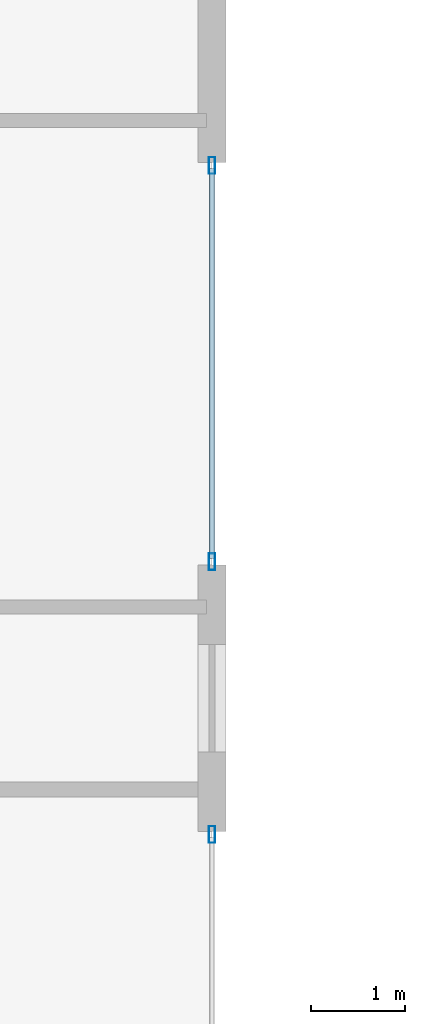
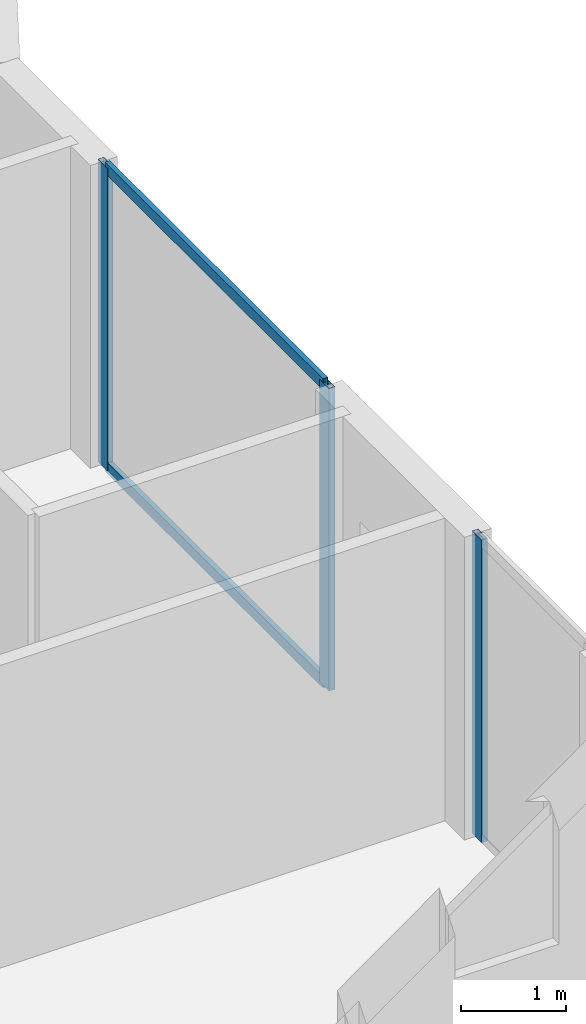
# One storey, part 14 of 33: 5 members, 2 elements without a shape of their own.
"""IFC4 building model written with IfcOpenShell, lengths in metres."""

import ifcopenshell
import ifcopenshell.guid

model = None  # the IFC model being written
_history = None  # IfcOwnerHistory: only IFC2X3 demands one
_inside = {}  # id of a spatial element -> (the spatial element, [elements in it])
_under = {}  # id of a project, library or spatial element -> (it, [spatial elements below it])
_declared = {}  # id of a project -> (the project, [libraries it declares])
_typed = {}  # id of a type object -> (the type object, [elements of that type])
_made_of = {}  # id of a material, layer set ... -> (it, [elements and type objects made of it])


def new_model(schema):
    """Start an empty IFC model of exactly this schema.

    Asked for "IFC4X3", IfcOpenShell would pick the latest addendum, in which some entities
    have other attributes; the version numbers below select the first issue.
    IFC2X3 requires an IfcOwnerHistory on every rooted entity: one is made here for all.
    """
    global model, _history
    if schema == "IFC4X3":
        model = ifcopenshell.file(schema_version=(4, 3, 0, 0))
    else:
        model = ifcopenshell.file(schema=schema)
    _inside.clear()
    _under.clear()
    _declared.clear()
    _typed.clear()
    _made_of.clear()
    _history = None
    if model.schema == "IFC2X3":
        org = make("IfcOrganization", Name="unknown")
        user = make(
            "IfcPersonAndOrganization",
            ThePerson=make("IfcPerson", FamilyName="unknown"),
            TheOrganization=org,
        )
        app = make(
            "IfcApplication",
            ApplicationDeveloper=org,
            Version="unknown",
            ApplicationFullName="unknown",
            ApplicationIdentifier="unknown",
        )
        _history = make(
            "IfcOwnerHistory",
            OwningUser=user,
            OwningApplication=app,
            ChangeAction="ADDED",
            CreationDate=0,
        )
    return model


def make(cls, **values):
    """One entity of the class cls with the attributes given. An attribute that is None is left unset."""
    return model.create_entity(
        cls, **{name: value for name, value in values.items() if value is not None}
    )


def rooted(cls, **values):
    """An entity with a GlobalId (a new one), such as an element, a storey or a relation."""
    return make(cls, GlobalId=ifcopenshell.guid.new(), OwnerHistory=_history, **values)


def si_unit(unit_type, name, prefix=None):
    """IfcSIUnit, for example si_unit("LENGTHUNIT", "METRE", prefix="MILLI")."""
    return make("IfcSIUnit", UnitType=unit_type, Prefix=prefix, Name=name)


def assignment(units):
    """IfcUnitAssignment: the units of a project."""
    return None if units is None else make("IfcUnitAssignment", Units=units)


def point(xyz):
    """IfcCartesianPoint."""
    return None if xyz is None else make("IfcCartesianPoint", Coordinates=xyz)


def direction(xyz):
    """IfcDirection."""
    return None if xyz is None else make("IfcDirection", DirectionRatios=xyz)


def frame(location, z_axis=None, x_axis=None):
    """IfcAxis2Placement3D, a coordinate frame: its origin and axes. An axis left out is left unset."""
    return make(
        "IfcAxis2Placement3D",
        Location=point(location),
        Axis=direction(z_axis),
        RefDirection=direction(x_axis),
    )


def frame_2d(location, x_axis=None):
    """IfcAxis2Placement2D, a coordinate frame in the plane: its origin and x axis."""
    return make(
        "IfcAxis2Placement2D", Location=point(location), RefDirection=direction(x_axis)
    )


def origin():
    """The frame at (0, 0, 0) with its axes left unset."""
    return frame((0.0, 0.0, 0.0))


def origin_2d():
    """The frame at (0, 0) in the plane with its x axis left unset."""
    return frame_2d((0.0, 0.0))


def place(relative_to, where):
    """IfcLocalPlacement: puts the frame where relative to a parent placement (None: the world)."""
    return make(
        "IfcLocalPlacement", PlacementRelTo=relative_to, RelativePlacement=where
    )


def context(
    kind, dimensions, precision=None, world=None, true_north=None, identifier=None
):
    """IfcGeometricRepresentationContext, for example the 3D "Model" context."""
    return make(
        "IfcGeometricRepresentationContext",
        ContextIdentifier=identifier,
        ContextType=kind,
        CoordinateSpaceDimension=dimensions,
        Precision=precision,
        WorldCoordinateSystem=world,
        TrueNorth=true_north,
    )


def subcontext(parent, identifier, kind, view, scale=None):
    """IfcGeometricRepresentationSubContext, for example "Body" below "Model"."""
    return make(
        "IfcGeometricRepresentationSubContext",
        ContextIdentifier=identifier,
        ContextType=kind,
        ParentContext=parent,
        TargetScale=scale,
        TargetView=view,
    )


def project(units=None, contexts=None):
    """IfcProject with its units and contexts."""
    return rooted(
        "IfcProject",
        Name="project",
        RepresentationContexts=contexts,
        UnitsInContext=assignment(units),
    )


def spatial(cls, under=None, at=None, **own):
    """A site, building, storey or space (cls), placed at a placement, below another one or the project."""
    s = rooted(cls, ObjectPlacement=at, **own)
    if under is not None:
        _under.setdefault(under.id(), (under, []))[1].append(s)
    return s


def profile(cls, at=None, kind="AREA", **sizes):
    """A parametric profile (cls). Its sizes go by their IFC names, for example OverallWidth=200.0."""
    return make(cls, ProfileType=kind, Position=at, **sizes)


def hollow_rectangle(**sizes):
    """IfcRectangleHollowProfileDef."""
    return profile("IfcRectangleHollowProfileDef", **sizes)


def extrude(swept, where, along, depth):
    """IfcExtrudedAreaSolid: the profile swept, set in the frame where, extruded along a direction by depth."""
    return make(
        "IfcExtrudedAreaSolid",
        SweptArea=swept,
        Position=where,
        ExtrudedDirection=direction(along),
        Depth=depth,
    )


def shape(context_of_items, identifier, shape_type, items):
    """IfcShapeRepresentation: the items that make up one representation, for example the "Body"."""
    return make(
        "IfcShapeRepresentation",
        ContextOfItems=context_of_items,
        RepresentationIdentifier=identifier,
        RepresentationType=shape_type,
        Items=items,
    )


def material(Name=None, Category=None):
    """IfcMaterial."""
    return make("IfcMaterial", Name=Name, Category=Category)


def layer(
    of_material, thickness, ventilated=None, Name=None, Category=None, Priority=None
):
    """IfcMaterialLayer: one layer of a wall or slab, of a material (None: an air gap)."""
    return make(
        "IfcMaterialLayer",
        Material=of_material,
        LayerThickness=thickness,
        IsVentilated=ventilated,
        Name=Name,
        Category=Category,
        Priority=Priority,
    )


def layer_set(layers, Name=None):
    """IfcMaterialLayerSet."""
    return make("IfcMaterialLayerSet", MaterialLayers=layers, LayerSetName=Name)


def material_profile(
    of_material, cross_section, Name=None, Category=None, Priority=None
):
    """IfcMaterialProfile: a cross section and its material."""
    return make(
        "IfcMaterialProfile",
        Name=Name,
        Material=of_material,
        Profile=cross_section,
        Priority=Priority,
        Category=Category,
    )


def profile_set(profiles, Name=None, composite=None):
    """IfcMaterialProfileSet."""
    return make(
        "IfcMaterialProfileSet",
        Name=Name,
        MaterialProfiles=profiles,
        CompositeProfile=composite,
    )


def made_of(thing, what):
    """Note that an element or type object is made of a material, layer set ...; save() writes the relation."""
    if what is not None:
        _made_of.setdefault(what.id(), (what, []))[1].append(thing)
    return thing


def type_object(cls, material=None, **own):
    """A type object (cls), such as IfcWallType, which elements share."""
    return made_of(rooted(cls, **own), material)


def element(
    cls,
    number,
    at=None,
    inside=None,
    cuts=None,
    type_object=None,
    material=None,
    context=None,
    identifier="Body",
    shape_type=None,
    held_by="IfcProductDefinitionShape",
    body=None,
    shapes=None,
    **own,
):
    """One element of the class cls, such as IfcWall. Its Tag is "e" and its number.

    at: its placement. inside: the storey or other place that contains it. cuts: it is an
    opening in that element (IfcRelVoidsElement). A single representation is given by context,
    identifier, shape_type and body (its items); several are given by shapes. held_by: the class
    of the entity that holds the representations. save() writes the other relations.
    """
    e = rooted(cls, Tag="e%d" % number, ObjectPlacement=at, **own)
    if body is not None:
        shapes = [shape(context, identifier, shape_type, body)]
    if shapes is not None:
        e.Representation = make(held_by, Representations=shapes)
    if inside is not None:
        _inside.setdefault(inside.id(), (inside, []))[1].append(e)
    if cuts is not None:
        rooted(
            "IfcRelVoidsElement", RelatingBuildingElement=cuts, RelatedOpeningElement=e
        )
    if type_object is not None:
        _typed.setdefault(type_object.id(), (type_object, []))[1].append(e)
    return made_of(e, material)


def aggregate(whole, parts):
    """IfcRelAggregates: a whole, such as a stair, and the parts it consists of."""
    return rooted("IfcRelAggregates", RelatingObject=whole, RelatedObjects=parts)


def save(model, path):
    """Write the relations noted so far, then the file.

    IfcRelAggregates (storeys below a building ...), IfcRelContainedInSpatialStructure (elements
    in a storey), IfcRelDefinesByType, IfcRelAssociatesMaterial and IfcRelDeclares: one each for
    every whole, place, type object, material and project.
    """
    for whole, parts in _under.values():
        aggregate(whole, parts)
    for where, things in _inside.values():
        rooted(
            "IfcRelContainedInSpatialStructure",
            RelatedElements=things,
            RelatingStructure=where,
        )
    for kind, things in _typed.values():
        rooted("IfcRelDefinesByType", RelatedObjects=things, RelatingType=kind)
    for what, things in _made_of.values():
        rooted("IfcRelAssociatesMaterial", RelatedObjects=things, RelatingMaterial=what)
    for by, libraries in _declared.values():
        rooted("IfcRelDeclares", RelatingContext=by, RelatedDefinitions=libraries)
    model.write(path)


model = new_model("IFC4")

# Units and contexts
model_context = context("Model", 3, precision=1e-05, world=origin(), true_north=direction((0.0, 1.0)))
body_context = subcontext(model_context, "Body", "Model", "MODEL_VIEW")
ifc_project = project(units=[si_unit("LENGTHUNIT", "METRE"), si_unit("AREAUNIT", "SQUARE_METRE"), si_unit("VOLUMEUNIT", "CUBIC_METRE"), si_unit("PLANEANGLEUNIT", "RADIAN"), si_unit("MASSUNIT", "GRAM", prefix="KILO")], contexts=[model_context])

# Site, building, storey
site_placement = place(None, origin())
site = spatial("IfcSite", under=ifc_project, at=site_placement, CompositionType="ELEMENT")
building_placement = place(site_placement, origin())
building = spatial("IfcBuilding", under=site, at=building_placement, Name="Zuhayl Quay Hotel", CompositionType="ELEMENT")
storey_placement = place(building_placement, frame((0.0, 0.0, 207.39990234375)))
storey = spatial("IfcBuildingStorey", under=building, at=storey_placement, Name="L52", CompositionType="ELEMENT", Elevation=207.39990234375)

# Curtain wall, members
ifc_material_1 = material(Name="Anodised Aluminium 6063-T6", Category="aluminium")
ifc_layer = layer(ifc_material_1, 0.175048828125, Name="Anodised Aluminium 6063-T6", Category="aluminium")
ifc_layer_set = layer_set([ifc_layer], Name="Anodised Aluminium 6063-T6")
curtain_wall_type = type_object("IfcCurtainWallType", Name="CW_SYS_Z3", PredefinedType="USERDEFINED", material=ifc_layer_set)
curtain_wall_1_placement = place(storey_placement, origin())
curtain_wall_1 = element("IfcCurtainWall", 1, at=curtain_wall_1_placement, inside=storey, type_object=curtain_wall_type, Name="L52 Curtain Wall ENV_L52_E14_CW1", ObjectType="UNITISED CURTAIN WALL", PredefinedType="USERDEFINED")
ifc_material_2 = material(Name="Black-anodised aluminium 6063-T6", Category="aluminium")
ifc_material_profile_1 = material_profile(ifc_material_2, hollow_rectangle(XDim=0.06494140625, YDim=0.179931640625, WallThickness=0.00341796875, at=origin_2d()), Name="ALU180X65")
ifc_profile_set_1 = profile_set([ifc_material_profile_1], Name="Black-anodised aluminium 6063-T6")
member_type_1 = type_object("IfcMemberType", Name="MB_CW_MUL_180", PredefinedType="MULLION", material=ifc_profile_set_1)
member_1_placement = place(storey_placement, frame((22.10009765625, 6.267578125, 0.0), z_axis=(0.0, 0.0, 1.0), x_axis=(1.0, 0.0, 0.0)))
member_1 = element("IfcMember", 2, at=member_1_placement, type_object=member_type_1, Name="CW-Z3 mullion 1", PredefinedType="MULLION", context=body_context, shape_type="SweptSolid", body=[
    extrude(hollow_rectangle(XDim=0.06494140625, YDim=0.179931640625, WallThickness=0.00341796875, at=origin_2d()), origin(), (0.0, 0.0, 1.0), 3.530029296875),
])
member_2_placement = place(storey_placement, frame((22.10009765625, 2.032470703125, 0.0), z_axis=(0.0, 0.0, 1.0), x_axis=(1.0, 0.0, 0.0)))
member_2 = element("IfcMember", 3, at=member_2_placement, type_object=member_type_1, Name="CW-Z3 mullion 2", PredefinedType="MULLION", context=body_context, shape_type="SweptSolid", body=[
    extrude(hollow_rectangle(XDim=0.06494140625, YDim=0.179931640625, WallThickness=0.00341796875, at=origin_2d()), origin(), (0.0, 0.0, 1.0), 3.530029296875),
])

# Curtain wall, member
curtain_wall_2_placement = place(storey_placement, origin())
curtain_wall_2 = element("IfcCurtainWall", 4, at=curtain_wall_2_placement, inside=storey, type_object=curtain_wall_type, Name="L52 Curtain Wall ENV_L52_E14_CW2", ObjectType="UNITISED CURTAIN WALL", PredefinedType="USERDEFINED")
member_3_placement = place(storey_placement, frame((22.10009765625, -0.882568359375, 0.0), z_axis=(0.0, 0.0, 1.0), x_axis=(1.0, 0.0, 0.0)))
member_3 = element("IfcMember", 5, at=member_3_placement, type_object=member_type_1, Name="CW-Z3 mullion 1", PredefinedType="MULLION", context=body_context, shape_type="SweptSolid", body=[
    extrude(hollow_rectangle(XDim=0.06494140625, YDim=0.179931640625, WallThickness=0.00341796875, at=origin_2d()), origin(), (0.0, 0.0, 1.0), 3.530029296875),
])
aggregate(curtain_wall_2, [member_3])

# Member
ifc_material_profile_2 = material_profile(ifc_material_2, hollow_rectangle(XDim=0.054931640625, YDim=0.1298828125, WallThickness=0.0029296875, at=origin_2d()), Name="ALU130X55")
ifc_profile_set_2 = profile_set([ifc_material_profile_2], Name="Black-anodised aluminium 6063-T6")
member_type_2 = type_object("IfcMemberType", Name="MB_CW_TRN_130", PredefinedType="USERDEFINED", material=ifc_profile_set_2)
member_4_placement = place(storey_placement, frame((22.10009765625, 6.235107421875, 0.027587890625), z_axis=(0.0, -1.0, 0.0), x_axis=(1.0, 0.0, 0.0)))
member_4 = element("IfcMember", 6, at=member_4_placement, type_object=member_type_2, Name="CW-Z3 transom 1.1", ObjectType="TRANSOM", PredefinedType="USERDEFINED", context=body_context, shape_type="SweptSolid", body=[
    extrude(hollow_rectangle(XDim=0.054931640625, YDim=0.1298828125, WallThickness=0.0029296875, at=origin_2d()), origin(), (0.0, 0.0, 1.0), 4.170166015625),
])

member_5_placement = place(storey_placement, frame((22.10009765625, 6.235107421875, 3.502685546875), z_axis=(0.0, -1.0, 0.0), x_axis=(1.0, 0.0, 0.0)))
member_5 = element("IfcMember", 7, at=member_5_placement, type_object=member_type_2, Name="CW-Z3 transom 1.2", ObjectType="TRANSOM", PredefinedType="USERDEFINED", context=body_context, shape_type="SweptSolid", body=[
    extrude(hollow_rectangle(XDim=0.054931640625, YDim=0.1298828125, WallThickness=0.0029296875, at=origin_2d()), origin(), (0.0, 0.0, 1.0), 4.170166015625),
])

aggregate(curtain_wall_1, [member_1, member_2, member_4, member_5])

save(model, "model.ifc")
